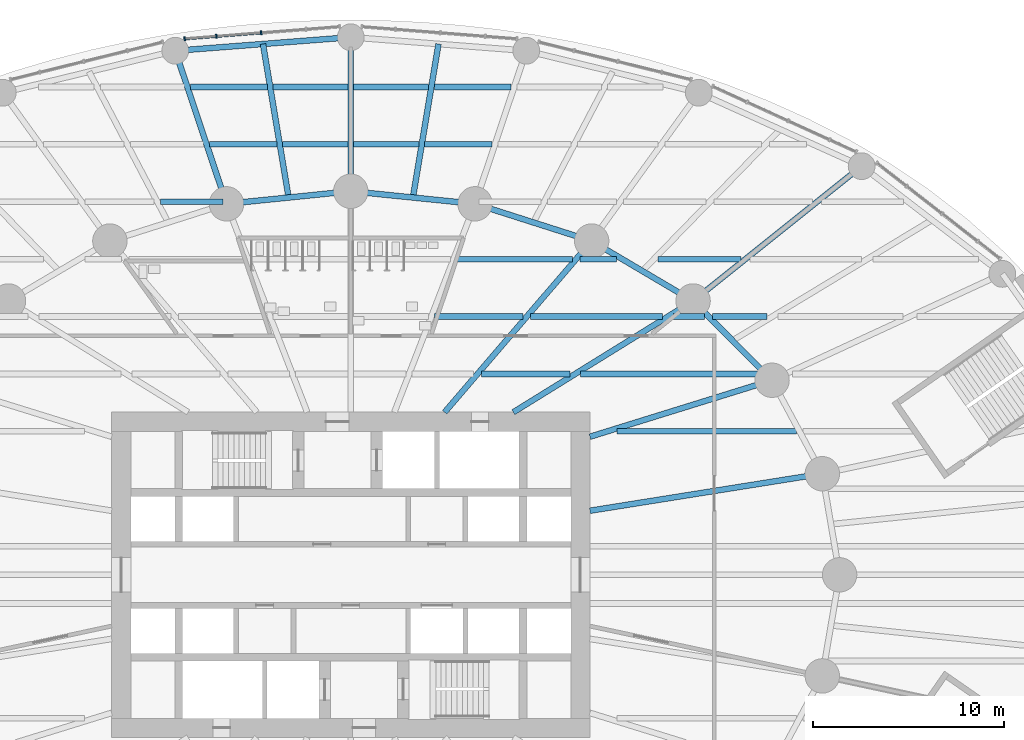
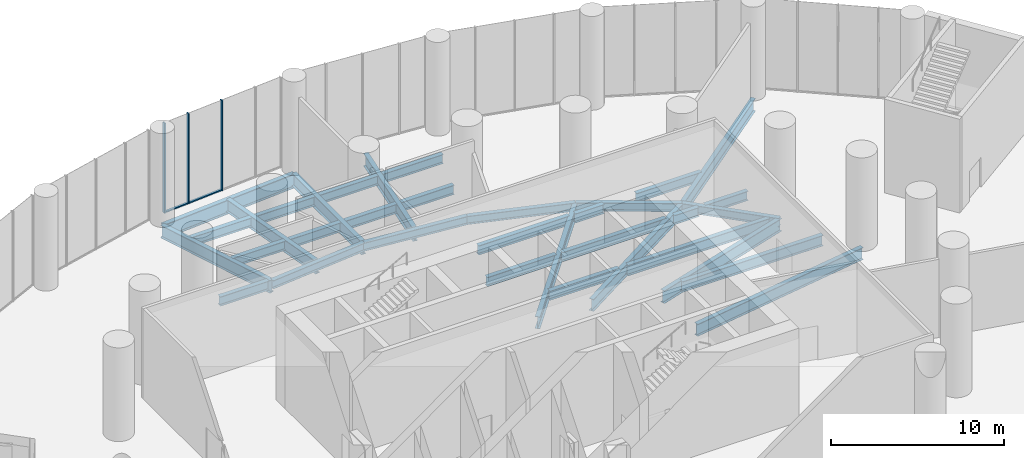
# One storey, part 9 of 22: 34 beams, 5 members, 1 element without a shape of its own.
"""IFC4 building model written with IfcOpenShell, lengths in metres."""

from ifc_helpers import new_model, si_unit, direction, frame, origin, origin_2d, place, context, subcontext, project, spatial, rectangle, i_section, extrude, material, material_profile, profile_set, type_object, element, aggregate, save


model = new_model("IFC4")

# Units and contexts
model_context = context("Model", 3, precision=1e-05, world=origin(), true_north=direction((0.0, 1.0)))
body_context = subcontext(model_context, "Body", "Model", "MODEL_VIEW")
ifc_project = project(units=[si_unit("LENGTHUNIT", "METRE"), si_unit("AREAUNIT", "SQUARE_METRE"), si_unit("VOLUMEUNIT", "CUBIC_METRE"), si_unit("PLANEANGLEUNIT", "RADIAN"), si_unit("MASSUNIT", "GRAM", prefix="KILO")], contexts=[model_context])

# Site, building, storey
site_placement = place(None, origin())
site = spatial("IfcSite", under=ifc_project, at=site_placement, CompositionType="ELEMENT")
building_placement = place(site_placement, origin())
building = spatial("IfcBuilding", under=site, at=building_placement, Name="Hankou Lantern Tower", CompositionType="ELEMENT")
storey_placement = place(building_placement, frame((0.0, 0.0, 7.199951171875)))
storey = spatial("IfcBuildingStorey", under=building, at=storey_placement, Name="L01", CompositionType="ELEMENT", Elevation=7.199951171875)

# Beams
ifc_material_1 = material(Name="Steel Q355B", Category="steel")
ifc_material_profile_1 = material_profile(ifc_material_1, i_section(OverallWidth=0.300048828125, OverallDepth=0.587890625, WebThickness=0.011962890625, FlangeThickness=0.02001953125, FilletRadius=0.01806640625, at=origin_2d()), Name="HM588x300x12x20")
ifc_profile_set_1 = profile_set([ifc_material_profile_1], Name="Steel Q355B")
beam_type_1 = type_object("IfcBeamType", Name="EB16 RING BEAM HM588x300x12x20", PredefinedType="SPANDREL", material=ifc_profile_set_1)
beam_1_placement = place(storey_placement, frame((22.01904296875, 10.170166015625, -0.5439453125), z_axis=(-0.705727798394, 0.708483079949, 0.0), x_axis=(-0.708483079949, -0.705727798394, 0.0)))
element("IfcBeam", 1, at=beam_1_placement, inside=storey, type_object=beam_type_1, Name="Ring beam R03-R04 L01", PredefinedType="SPANDREL", context=body_context, shape_type="SweptSolid", body=[
    extrude(i_section(OverallWidth=0.300048828125, OverallDepth=0.587890625, WebThickness=0.011962890625, FlangeThickness=0.02001953125, FilletRadius=0.01806640625, at=origin_2d()), origin(), (0.0, 0.0, 1.0), 5.84814453125),
])
beam_2_placement = place(storey_placement, frame((17.891845703125, 14.3134765625, -0.5439453125), z_axis=(-0.860881533543, 0.508805449268, 0.0), x_axis=(-0.508805449268, -0.860881533543, 0.0)))
element("IfcBeam", 2, at=beam_2_placement, inside=storey, type_object=beam_type_1, Name="Ring beam R04-R05 L01", PredefinedType="SPANDREL", context=body_context, shape_type="SweptSolid", body=[
    extrude(i_section(OverallWidth=0.300048828125, OverallDepth=0.587890625, WebThickness=0.011962890625, FlangeThickness=0.02001953125, FilletRadius=0.01806640625, at=origin_2d()), origin(), (0.0, 0.0, 1.0), 6.15771484375),
])
beam_3_placement = place(storey_placement, frame((12.5908203125, 17.446533203125, -0.5439453125), z_axis=(-0.952690479428, 0.303942182671, 0.0), x_axis=(-0.303942182671, -0.952690479428, 0.0)))
element("IfcBeam", 3, at=beam_3_placement, inside=storey, type_object=beam_type_1, Name="Ring beam R05-R06 L01", PredefinedType="SPANDREL", context=body_context, shape_type="SweptSolid", body=[
    extrude(i_section(OverallWidth=0.300048828125, OverallDepth=0.587890625, WebThickness=0.011962890625, FlangeThickness=0.02001953125, FilletRadius=0.01806640625, at=origin_2d()), origin(), (0.0, 0.0, 1.0), 6.398681640625),
])
for number, where, z_axis, x_axis, name in (
    (4, (6.494873046875, 19.391357421875, -0.5439453125), (-0.994896616842, 0.100899562915, 0.0), (-0.100899562915, -0.994896616842, 0.0), "Ring beam R06-R07 L01"),
    (5, (0.0, 20.050048828125, -0.5439453125), (-0.994896616842, -0.100899562915, 0.0), (0.100899562915, -0.994896616842, 0.0), "Ring beam R07-R08 L01"),
):
    element("IfcBeam", number, at=place(storey_placement, frame(where, z_axis=z_axis, x_axis=x_axis)), inside=storey, type_object=beam_type_1, Name=name, PredefinedType="SPANDREL", context=body_context, shape_type="SweptSolid", body=[
        extrude(i_section(OverallWidth=0.300048828125, OverallDepth=0.587890625, WebThickness=0.011962890625, FlangeThickness=0.02001953125, FilletRadius=0.01806640625, at=origin_2d()), origin(), (0.0, 0.0, 1.0), 6.528076171875),
    ])

# Curtain wall, members
ifc_material_2 = material(Name="Glass, dark grey tinted laminated", Category="glass")
curtain_wall_type = type_object("IfcCurtainWallType", Name="CWP PODIUM CURTAIN WALL", PredefinedType="USERDEFINED", material=ifc_material_2)
curtain_wall_placement = place(storey_placement, origin())
curtain_wall = element("IfcCurtainWall", 6, at=curtain_wall_placement, inside=storey, type_object=curtain_wall_type, Name="CWP L01 PC05", ObjectType="PODIUM GLAZING", PredefinedType="USERDEFINED")
ifc_material_3 = material(Name="Aluminium, black anodised", Category="aluminium")
ifc_material_profile_2 = material_profile(ifc_material_3, rectangle(XDim=0.080078125, YDim=0.199951171875, at=origin_2d()), Name="MU2 80X200")
ifc_profile_set_2 = profile_set([ifc_material_profile_2], Name="Aluminium, black anodised")
member_type_1 = type_object("IfcMemberType", Name="MU2 PODIUM MULLION 80X200", PredefinedType="MULLION", material=ifc_profile_set_2)
member_1_placement = place(storey_placement, frame((-4.68359375, 28.333251953125, 0.0), z_axis=(0.0, 0.0, 1.0), x_axis=(-0.996948515213, -0.078061885796, 0.0)))
member_1 = element("IfcMember", 7, at=member_1_placement, type_object=member_type_1, Name="CWP mullion 3", PredefinedType="MULLION", context=body_context, shape_type="SweptSolid", body=[
    extrude(rectangle(XDim=0.080078125, YDim=0.199951171875, at=origin_2d()), origin(), (0.0, 0.0, 1.0), 6.35009765625),
])
member_2_placement = place(storey_placement, frame((-7.025146484375, 28.14990234375, 0.0), z_axis=(0.0, 0.0, 1.0), x_axis=(-0.996948515213, -0.078061885796, 0.0)))
member_2 = element("IfcMember", 8, at=member_2_placement, type_object=member_type_1, Name="CWP mullion 4", PredefinedType="MULLION", context=body_context, shape_type="SweptSolid", body=[
    extrude(rectangle(XDim=0.080078125, YDim=0.199951171875, at=origin_2d()), origin(), (0.0, 0.0, 1.0), 6.35009765625),
])
member_3_placement = place(storey_placement, frame((-8.678955078125, 28.0205078125, 0.0), z_axis=(0.0, 0.0, 1.0), x_axis=(-0.996948515213, -0.078061885796, 0.0)))
member_3 = element("IfcMember", 9, at=member_3_placement, type_object=member_type_1, Name="CWP mullion 5", PredefinedType="MULLION", context=body_context, shape_type="SweptSolid", body=[
    extrude(rectangle(XDim=0.080078125, YDim=0.199951171875, at=origin_2d()), origin(), (0.0, 0.0, 1.0), 6.35009765625),
])

# Beams
ifc_material_4 = material(Name="Steel Q355B", Category="steel")
ifc_material_profile_3 = material_profile(ifc_material_4, i_section(OverallWidth=0.300048828125, OverallDepth=0.89990234375, WebThickness=0.01611328125, FlangeThickness=0.028076171875, FilletRadius=0.01806640625, at=origin_2d()), Name="HN900x300x16x28")
ifc_profile_set_3 = profile_set([ifc_material_profile_3], Name="Steel Q355B")
beam_type_2 = type_object("IfcBeamType", Name="PB13 PODIUM RADIAL BEAM HN900x300x16x28", PredefinedType="BEAM", material=ifc_profile_set_3)
beam_4_placement = place(storey_placement, frame((17.891845703125, 14.3134765625, -0.699951171875), z_axis=(0.780875142676, 0.624687130931, 0.0), x_axis=(-0.624687130931, 0.780875142676, 0.0)))
element("IfcBeam", 10, at=beam_4_placement, inside=storey, type_object=beam_type_2, Name="Podium radial beam R04 L01", PredefinedType="BEAM", context=body_context, shape_type="SweptSolid", body=[
    extrude(i_section(OverallWidth=0.300048828125, OverallDepth=0.89990234375, WebThickness=0.01611328125, FlangeThickness=0.028076171875, FilletRadius=0.01806640625, at=origin_2d()), origin(), (0.0, 0.0, 1.0), 11.28271484375),
])
beam_5_placement = place(storey_placement, frame((0.0, 20.050048828125, -0.699951171875), z_axis=(0.0, 1.0, 0.0), x_axis=(-1.0, 0.0, 0.0)))
element("IfcBeam", 11, at=beam_5_placement, inside=storey, type_object=beam_type_2, Name="Podium radial beam R07 L01", PredefinedType="BEAM", context=body_context, shape_type="SweptSolid", body=[
    extrude(i_section(OverallWidth=0.300048828125, OverallDepth=0.89990234375, WebThickness=0.01611328125, FlangeThickness=0.028076171875, FilletRadius=0.01806640625, at=origin_2d()), origin(), (0.0, 0.0, 1.0), 8.050048828125),
])
beam_6_placement = place(storey_placement, frame((-6.494873046875, 19.391357421875, -0.699951171875), z_axis=(-0.317599116391, 0.948225079434, 0.0), x_axis=(-0.948225079434, -0.317599116391, 0.0)))
element("IfcBeam", 12, at=beam_6_placement, inside=storey, type_object=beam_type_2, Name="Podium radial beam R08 L01", PredefinedType="BEAM", context=body_context, shape_type="SweptSolid", body=[
    extrude(i_section(OverallWidth=0.300048828125, OverallDepth=0.89990234375, WebThickness=0.01611328125, FlangeThickness=0.028076171875, FilletRadius=0.01806640625, at=origin_2d()), origin(), (0.0, 0.0, 1.0), 8.4365234375),
])
ifc_material_5 = material(Name="Steel Q355B", Category="steel")
ifc_material_profile_4 = material_profile(ifc_material_5, i_section(OverallWidth=0.300048828125, OverallDepth=1.0, WebThickness=0.01904296875, FlangeThickness=0.035888671875, FilletRadius=0.01806640625, at=origin_2d()), Name="HN1000x300x19x36")
ifc_profile_set_4 = profile_set([ifc_material_profile_4], Name="Steel Q355B")
beam_type_3 = type_object("IfcBeamType", Name="PR22 PODIUM RING BEAM HN1000x300x19x36", PredefinedType="BEAM", material=ifc_profile_set_4)
beam_7_placement = place(storey_placement, frame((0.0, 28.10009765625, -0.75), z_axis=(-0.997027266507, -0.077049528499, 0.0), x_axis=(0.077049528499, -0.997027266507, 0.0)))
element("IfcBeam", 13, at=beam_7_placement, inside=storey, type_object=beam_type_3, Name="Podium ring beam R07-R08 L01", PredefinedType="BEAM", context=body_context, shape_type="SweptSolid", body=[
    extrude(i_section(OverallWidth=0.300048828125, OverallDepth=1.0, WebThickness=0.01904296875, FlangeThickness=0.035888671875, FilletRadius=0.01806640625, at=origin_2d()), origin(), (0.0, 0.0, 1.0), 9.20166015625),
])
ifc_material_6 = material(Name="Steel Q355B", Category="steel")
ifc_material_profile_5 = material_profile(ifc_material_6, i_section(OverallWidth=0.300048828125, OverallDepth=0.89990234375, WebThickness=0.01611328125, FlangeThickness=0.028076171875, FilletRadius=0.01806640625, at=origin_2d()), Name="HN900x300x16x28")
ifc_profile_set_5 = profile_set([ifc_material_profile_5], Name="Steel Q355B")
beam_type_4 = type_object("IfcBeamType", Name="PS13 PODIUM SECONDARY BEAM HN900x300x16x28", PredefinedType="JOIST", material=ifc_profile_set_5)
for number, where, z_axis, x_axis, name in (
    (14, (3.24755859375, 19.720703125, -0.699951171875), (0.164652019445, 0.986351718452, 0.0), (-0.986351718452, 0.164652019445, 0.0), "Podium secondary beam bay R06 L01"),
    (15, (-3.24755859375, 19.720703125, -0.699951171875), (-0.164652019445, 0.986351718452, 0.0), (-0.986351718452, -0.164652019445, 0.0), "Podium secondary beam bay R07 L01"),
):
    element("IfcBeam", number, at=place(storey_placement, frame(where, z_axis=z_axis, x_axis=x_axis)), inside=storey, type_object=beam_type_4, Name=name, PredefinedType="JOIST", context=body_context, shape_type="SweptSolid", body=[
        extrude(i_section(OverallWidth=0.300048828125, OverallDepth=0.89990234375, WebThickness=0.01611328125, FlangeThickness=0.028076171875, FilletRadius=0.01806640625, at=origin_2d()), origin(), (0.0, 0.0, 1.0), 8.135986328125),
    ])
ifc_material_7 = material(Name="Steel Q355B", Category="steel")
ifc_material_profile_6 = material_profile(ifc_material_7, i_section(OverallWidth=0.300048828125, OverallDepth=0.85009765625, WebThickness=0.01611328125, FlangeThickness=0.027099609375, FilletRadius=0.01806640625, at=origin_2d()), Name="HN850x300x16x27")
ifc_profile_set_6 = profile_set([ifc_material_profile_6], Name="Steel Q355B")
beam_type_5 = type_object("IfcBeamType", Name="RB12 RADIAL BEAM HN850x300x16x27", PredefinedType="BEAM", material=ifc_profile_set_6)
beam_8_placement = place(storey_placement, frame((12.5, 3.349365234375, -0.675048828125), z_axis=(0.987563081343, 0.157223281893, 0.0), x_axis=(-0.157223281893, 0.987563081343, 0.0)))
element("IfcBeam", 16, at=beam_8_placement, inside=storey, type_object=beam_type_5, Name="Radial beam R02 L01", PredefinedType="BEAM", context=body_context, shape_type="SweptSolid", body=[
    extrude(i_section(OverallWidth=0.300048828125, OverallDepth=0.85009765625, WebThickness=0.01611328125, FlangeThickness=0.027099609375, FilletRadius=0.01806640625, at=origin_2d()), origin(), (0.0, 0.0, 1.0), 12.300048828125),
])
beam_9_placement = place(storey_placement, frame((8.5, 8.5, -0.675048828125), z_axis=(0.850286343288, 0.526320372414, 0.0), x_axis=(-0.526320372414, 0.850286343288, 0.0)))
element("IfcBeam", 17, at=beam_9_placement, inside=storey, type_object=beam_type_5, Name="Radial beam R04 L01", PredefinedType="BEAM", context=body_context, shape_type="SweptSolid", body=[
    extrude(i_section(OverallWidth=0.300048828125, OverallDepth=0.85009765625, WebThickness=0.01611328125, FlangeThickness=0.027099609375, FilletRadius=0.01806640625, at=origin_2d()), origin(), (0.0, 0.0, 1.0), 11.04541015625),
])
beam_10_placement = place(storey_placement, frame((4.907470703125, 8.5, -0.675048828125), z_axis=(0.651519061225, 0.758632264579, 0.0), x_axis=(-0.758632264579, 0.651519061225, 0.0)))
element("IfcBeam", 18, at=beam_10_placement, inside=storey, type_object=beam_type_5, Name="Radial beam R05 L01", PredefinedType="BEAM", context=body_context, shape_type="SweptSolid", body=[
    extrude(i_section(OverallWidth=0.300048828125, OverallDepth=0.85009765625, WebThickness=0.01611328125, FlangeThickness=0.027099609375, FilletRadius=0.01806640625, at=origin_2d()), origin(), (0.0, 0.0, 1.0), 11.79296875),
])
ifc_material_8 = material(Name="Steel Q355B", Category="steel")
ifc_material_profile_7 = material_profile(ifc_material_8, i_section(OverallWidth=0.300048828125, OverallDepth=0.89990234375, WebThickness=0.01611328125, FlangeThickness=0.028076171875, FilletRadius=0.01806640625, at=origin_2d()), Name="HN900x300x16x28")
ifc_profile_set_7 = profile_set([ifc_material_profile_7], Name="Steel Q355B")
beam_type_6 = type_object("IfcBeamType", Name="RB13 RADIAL BEAM HN900x300x16x28", PredefinedType="BEAM", material=ifc_profile_set_7)
beam_11_placement = place(storey_placement, frame((12.5, 7.216796875, -0.699951171875), z_axis=(0.955087327755, 0.29632447817, 0.0), x_axis=(-0.29632447817, 0.955087327755, 0.0)))
element("IfcBeam", 19, at=beam_11_placement, inside=storey, type_object=beam_type_6, Name="Radial beam R03 L01", PredefinedType="BEAM", context=body_context, shape_type="SweptSolid", body=[
    extrude(i_section(OverallWidth=0.300048828125, OverallDepth=0.89990234375, WebThickness=0.01611328125, FlangeThickness=0.028076171875, FilletRadius=0.01806640625, at=origin_2d()), origin(), (0.0, 0.0, 1.0), 9.966552734375),
])
ifc_material_9 = material(Name="Steel Q355B", Category="steel")
ifc_material_profile_8 = material_profile(ifc_material_9, i_section(OverallWidth=0.300048828125, OverallDepth=0.75, WebThickness=0.012939453125, FlangeThickness=0.02392578125, FilletRadius=0.01806640625, at=origin_2d()), Name="HN750x300x13x24")
ifc_profile_set_8 = profile_set([ifc_material_profile_8], Name="Steel Q355B")
beam_type_7 = type_object("IfcBeamType", Name="SB10 SECONDARY BEAM HN750x300x13x24", PredefinedType="JOIST", material=ifc_profile_set_8)
beam_12_placement = place(storey_placement, frame((13.918701171875, 7.5, -0.625), z_axis=(1.0, 0.0, 0.0), x_axis=(0.0, 1.0, 0.0)))
element("IfcBeam", 20, at=beam_12_placement, inside=storey, type_object=beam_type_7, Name="Floor joist J098 L01", PredefinedType="JOIST", context=body_context, shape_type="SweptSolid", body=[
    extrude(i_section(OverallWidth=0.300048828125, OverallDepth=0.75, WebThickness=0.012939453125, FlangeThickness=0.02392578125, FilletRadius=0.01806640625, at=origin_2d()), origin(), (0.0, 0.0, 1.0), 9.365966796875),
])
beam_13_placement = place(storey_placement, frame((12.01611328125, 10.5, -0.625), z_axis=(1.0, 0.0, 0.0), x_axis=(0.0, 1.0, 0.0)))
element("IfcBeam", 21, at=beam_13_placement, inside=storey, type_object=beam_type_7, Name="Floor joist J109 L01", PredefinedType="JOIST", context=body_context, shape_type="SweptSolid", body=[
    extrude(i_section(OverallWidth=0.300048828125, OverallDepth=0.75, WebThickness=0.012939453125, FlangeThickness=0.02392578125, FilletRadius=0.01806640625, at=origin_2d()), origin(), (0.0, 0.0, 1.0), 9.462646484375),
])
ifc_material_10 = material(Name="Steel Q355B", Category="steel")
ifc_material_profile_9 = material_profile(ifc_material_10, i_section(OverallWidth=0.300048828125, OverallDepth=0.64990234375, WebThickness=0.010986328125, FlangeThickness=0.01708984375, FilletRadius=0.01806640625, at=origin_2d()), Name="HN650x300x11x17")
ifc_profile_set_9 = profile_set([ifc_material_profile_9], Name="Steel Q355B")
beam_type_8 = type_object("IfcBeamType", Name="SB8 SECONDARY BEAM HN650x300x11x17", PredefinedType="JOIST", material=ifc_profile_set_9)
beam_14_placement = place(storey_placement, frame((6.82275390625, 10.5, -0.574951171875), z_axis=(1.0, 0.0, 0.0), x_axis=(0.0, 1.0, 0.0)))
element("IfcBeam", 22, at=beam_14_placement, inside=storey, type_object=beam_type_8, Name="Floor joist J108 L01", PredefinedType="JOIST", context=body_context, shape_type="SweptSolid", body=[
    extrude(i_section(OverallWidth=0.300048828125, OverallDepth=0.64990234375, WebThickness=0.010986328125, FlangeThickness=0.01708984375, FilletRadius=0.01806640625, at=origin_2d()), origin(), (0.0, 0.0, 1.0), 4.623291015625),
])
beam_15_placement = place(storey_placement, frame((4.37451171875, 13.5, -0.574951171875), z_axis=(1.0, 0.0, 0.0), x_axis=(0.0, 1.0, 0.0)))
element("IfcBeam", 23, at=beam_15_placement, inside=storey, type_object=beam_type_8, Name="Floor joist J119 L01", PredefinedType="JOIST", context=body_context, shape_type="SweptSolid", body=[
    extrude(i_section(OverallWidth=0.300048828125, OverallDepth=0.64990234375, WebThickness=0.010986328125, FlangeThickness=0.01708984375, FilletRadius=0.01806640625, at=origin_2d()), origin(), (0.0, 0.0, 1.0), 4.62939453125),
])
beam_16_placement = place(storey_placement, frame((9.3994140625, 13.5, -0.574951171875), z_axis=(1.0, 0.0, 0.0), x_axis=(0.0, 1.0, 0.0)))
element("IfcBeam", 24, at=beam_16_placement, inside=storey, type_object=beam_type_8, Name="Floor joist J120 L01", PredefinedType="JOIST", context=body_context, shape_type="SweptSolid", body=[
    extrude(i_section(OverallWidth=0.300048828125, OverallDepth=0.64990234375, WebThickness=0.010986328125, FlangeThickness=0.01708984375, FilletRadius=0.01806640625, at=origin_2d()), origin(), (0.0, 0.0, 1.0), 6.893310546875),
])
beam_17_placement = place(storey_placement, frame((16.86279296875, 13.5, -0.574951171875), z_axis=(1.0, 0.0, 0.0), x_axis=(0.0, 1.0, 0.0)))
element("IfcBeam", 25, at=beam_17_placement, inside=storey, type_object=beam_type_8, Name="Floor joist J121 L01", PredefinedType="JOIST", context=body_context, shape_type="SweptSolid", body=[
    extrude(i_section(OverallWidth=0.300048828125, OverallDepth=0.64990234375, WebThickness=0.010986328125, FlangeThickness=0.01708984375, FilletRadius=0.01806640625, at=origin_2d()), origin(), (0.0, 0.0, 1.0), 1.62744140625),
])
beam_18_placement = place(storey_placement, frame((18.913818359375, 13.5, -0.574951171875), z_axis=(1.0, 0.0, 0.0), x_axis=(0.0, 1.0, 0.0)))
element("IfcBeam", 26, at=beam_18_placement, inside=storey, type_object=beam_type_8, Name="Floor joist J122 L01", PredefinedType="JOIST", context=body_context, shape_type="SweptSolid", body=[
    extrude(i_section(OverallWidth=0.300048828125, OverallDepth=0.64990234375, WebThickness=0.010986328125, FlangeThickness=0.01708984375, FilletRadius=0.01806640625, at=origin_2d()), origin(), (0.0, 0.0, 1.0), 2.832275390625),
])
beam_19_placement = place(storey_placement, frame((5.5361328125, 16.5, -0.574951171875), z_axis=(1.0, 0.0, 0.0), x_axis=(0.0, 1.0, 0.0)))
element("IfcBeam", 27, at=beam_19_placement, inside=storey, type_object=beam_type_8, Name="Floor joist J132 L01", PredefinedType="JOIST", context=body_context, shape_type="SweptSolid", body=[
    extrude(i_section(OverallWidth=0.300048828125, OverallDepth=0.64990234375, WebThickness=0.010986328125, FlangeThickness=0.01708984375, FilletRadius=0.01806640625, at=origin_2d()), origin(), (0.0, 0.0, 1.0), 6.044189453125),
])
beam_20_placement = place(storey_placement, frame((11.975830078125, 16.5, -0.574951171875), z_axis=(1.0, 0.0, 0.0), x_axis=(0.0, 1.0, 0.0)))
element("IfcBeam", 28, at=beam_20_placement, inside=storey, type_object=beam_type_8, Name="Floor joist J133 L01", PredefinedType="JOIST", context=body_context, shape_type="SweptSolid", body=[
    extrude(i_section(OverallWidth=0.300048828125, OverallDepth=0.64990234375, WebThickness=0.010986328125, FlangeThickness=0.01708984375, FilletRadius=0.01806640625, at=origin_2d()), origin(), (0.0, 0.0, 1.0), 1.921630859375),
])
beam_21_placement = place(storey_placement, frame((16.05419921875, 16.5, -0.574951171875), z_axis=(1.0, 0.0, 0.0), x_axis=(0.0, 1.0, 0.0)))
element("IfcBeam", 29, at=beam_21_placement, inside=storey, type_object=beam_type_8, Name="Floor joist J134 L01", PredefinedType="JOIST", context=body_context, shape_type="SweptSolid", body=[
    extrude(i_section(OverallWidth=0.300048828125, OverallDepth=0.64990234375, WebThickness=0.010986328125, FlangeThickness=0.01708984375, FilletRadius=0.01806640625, at=origin_2d()), origin(), (0.0, 0.0, 1.0), 4.33056640625),
])
beam_22_placement = place(storey_placement, frame((-9.94140625, 19.5, -0.574951171875), z_axis=(1.0, 0.0, 0.0), x_axis=(0.0, 1.0, 0.0)))
element("IfcBeam", 30, at=beam_22_placement, inside=storey, type_object=beam_type_8, Name="Floor joist J141 L01", PredefinedType="JOIST", context=body_context, shape_type="SweptSolid", body=[
    extrude(i_section(OverallWidth=0.300048828125, OverallDepth=0.64990234375, WebThickness=0.010986328125, FlangeThickness=0.01708984375, FilletRadius=0.01806640625, at=origin_2d()), origin(), (0.0, 0.0, 1.0), 3.251953125),
])
beam_23_placement = place(storey_placement, frame((-7.3779296875, 22.5, -0.574951171875), z_axis=(1.0, 0.0, 0.0), x_axis=(0.0, 1.0, 0.0)))
element("IfcBeam", 31, at=beam_23_placement, inside=storey, type_object=beam_type_8, Name="Floor joist J153 L01", PredefinedType="JOIST", context=body_context, shape_type="SweptSolid", body=[
    extrude(i_section(OverallWidth=0.300048828125, OverallDepth=0.64990234375, WebThickness=0.010986328125, FlangeThickness=0.01708984375, FilletRadius=0.01806640625, at=origin_2d()), origin(), (0.0, 0.0, 1.0), 3.514404296875),
])
for number, where, z_axis, x_axis, name in (
    (32, (-3.559326171875, 22.5, -0.574951171875), (1.0, 0.0, 0.0), (0.0, 1.0, 0.0), "Floor joist J154 L01"),
    (33, (0.14990234375, 22.5, -0.574951171875), (1.0, 0.0, 0.0), (0.0, 1.0, 0.0), "Floor joist J155 L01"),
):
    element("IfcBeam", number, at=place(storey_placement, frame(where, z_axis=z_axis, x_axis=x_axis)), inside=storey, type_object=beam_type_8, Name=name, PredefinedType="JOIST", context=body_context, shape_type="SweptSolid", body=[
        extrude(i_section(OverallWidth=0.300048828125, OverallDepth=0.64990234375, WebThickness=0.010986328125, FlangeThickness=0.01708984375, FilletRadius=0.01806640625, at=origin_2d()), origin(), (0.0, 0.0, 1.0), 3.409423828125),
    ])
beam_24_placement = place(storey_placement, frame((3.863525390625, 22.5, -0.574951171875), z_axis=(1.0, 0.0, 0.0), x_axis=(0.0, 1.0, 0.0)))
element("IfcBeam", 34, at=beam_24_placement, inside=storey, type_object=beam_type_8, Name="Floor joist J156 L01", PredefinedType="JOIST", context=body_context, shape_type="SweptSolid", body=[
    extrude(i_section(OverallWidth=0.300048828125, OverallDepth=0.64990234375, WebThickness=0.010986328125, FlangeThickness=0.01708984375, FilletRadius=0.01806640625, at=origin_2d()), origin(), (0.0, 0.0, 1.0), 3.514404296875),
])
beam_25_placement = place(storey_placement, frame((-8.3828125, 25.5, -0.574951171875), z_axis=(1.0, 0.0, 0.0), x_axis=(0.0, 1.0, 0.0)))
element("IfcBeam", 35, at=beam_25_placement, inside=storey, type_object=beam_type_8, Name="Floor joist J163 L01", PredefinedType="JOIST", context=body_context, shape_type="SweptSolid", body=[
    extrude(i_section(OverallWidth=0.300048828125, OverallDepth=0.64990234375, WebThickness=0.010986328125, FlangeThickness=0.01708984375, FilletRadius=0.01806640625, at=origin_2d()), origin(), (0.0, 0.0, 1.0), 4.0185546875),
])
for number, where, z_axis, x_axis, name in (
    (36, (-4.060302734375, 25.5, -0.574951171875), (1.0, 0.0, 0.0), (0.0, 1.0, 0.0), "Floor joist J164 L01"),
    (37, (0.14990234375, 25.5, -0.574951171875), (1.0, 0.0, 0.0), (0.0, 1.0, 0.0), "Floor joist J165 L01"),
):
    element("IfcBeam", number, at=place(storey_placement, frame(where, z_axis=z_axis, x_axis=x_axis)), inside=storey, type_object=beam_type_8, Name=name, PredefinedType="JOIST", context=body_context, shape_type="SweptSolid", body=[
        extrude(i_section(OverallWidth=0.300048828125, OverallDepth=0.64990234375, WebThickness=0.010986328125, FlangeThickness=0.01708984375, FilletRadius=0.01806640625, at=origin_2d()), origin(), (0.0, 0.0, 1.0), 3.910400390625),
    ])
beam_26_placement = place(storey_placement, frame((4.3642578125, 25.5, -0.574951171875), z_axis=(1.0, 0.0, 0.0), x_axis=(0.0, 1.0, 0.0)))
element("IfcBeam", 38, at=beam_26_placement, inside=storey, type_object=beam_type_8, Name="Floor joist J166 L01", PredefinedType="JOIST", context=body_context, shape_type="SweptSolid", body=[
    extrude(i_section(OverallWidth=0.300048828125, OverallDepth=0.64990234375, WebThickness=0.010986328125, FlangeThickness=0.01708984375, FilletRadius=0.01806640625, at=origin_2d()), origin(), (0.0, 0.0, 1.0), 4.0185546875),
])

# Member
ifc_material_11 = material(Name="Aluminium, black anodised", Category="aluminium")
ifc_material_profile_10 = material_profile(ifc_material_11, rectangle(XDim=0.14990234375, YDim=0.080078125, at=origin_2d()), Name="TR2 150X80")
ifc_profile_set_10 = profile_set([ifc_material_profile_10], Name="Aluminium, black anodised")
member_type_2 = type_object("IfcMemberType", Name="TR2 PODIUM TRANSOM 150X80", PredefinedType="USERDEFINED", material=ifc_profile_set_10)
member_4_placement = place(storey_placement, frame((-4.723388671875, 28.330078125, 0.0400390625), z_axis=(-0.996952341782, -0.078013000301, 0.0), x_axis=(0.078013000301, -0.996952341782, 0.0)))
member_4 = element("IfcMember", 39, at=member_4_placement, type_object=member_type_2, Name="CWP transom 3", ObjectType="TRANSOM", PredefinedType="USERDEFINED", context=body_context, shape_type="SweptSolid", body=[
    extrude(rectangle(XDim=0.14990234375, YDim=0.080078125, at=origin_2d()), origin(), (0.0, 0.0, 1.0), 2.268798828125),
])

member_5_placement = place(storey_placement, frame((-7.065185546875, 28.146728515625, 0.0400390625), z_axis=(-0.996957260436, -0.077950117788, 0.0), x_axis=(0.077950117788, -0.996957260436, 0.0)))
member_5 = element("IfcMember", 40, at=member_5_placement, type_object=member_type_2, Name="CWP transom 4", ObjectType="TRANSOM", PredefinedType="USERDEFINED", context=body_context, shape_type="SweptSolid", body=[
    extrude(rectangle(XDim=0.14990234375, YDim=0.080078125, at=origin_2d()), origin(), (0.0, 0.0, 1.0), 1.57861328125),
])

aggregate(curtain_wall, [member_1, member_2, member_3, member_4, member_5])

save(model, "model.ifc")
